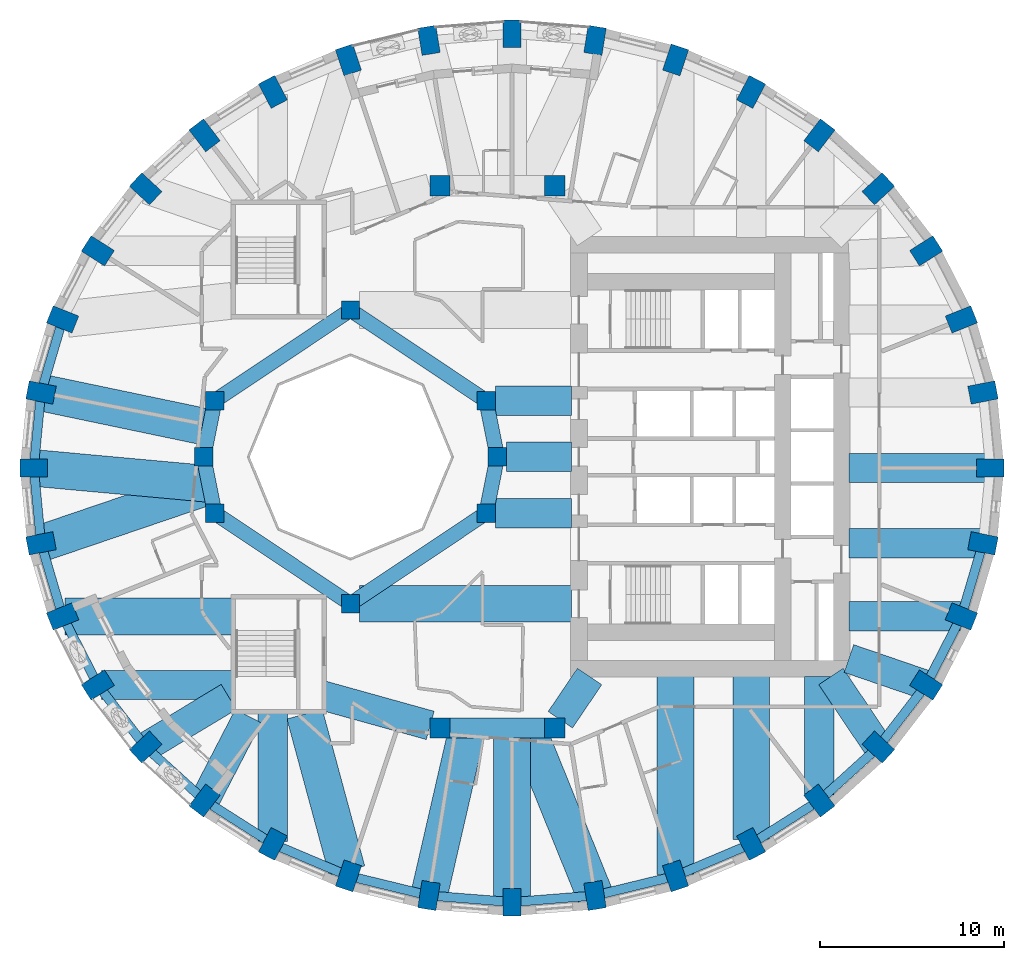
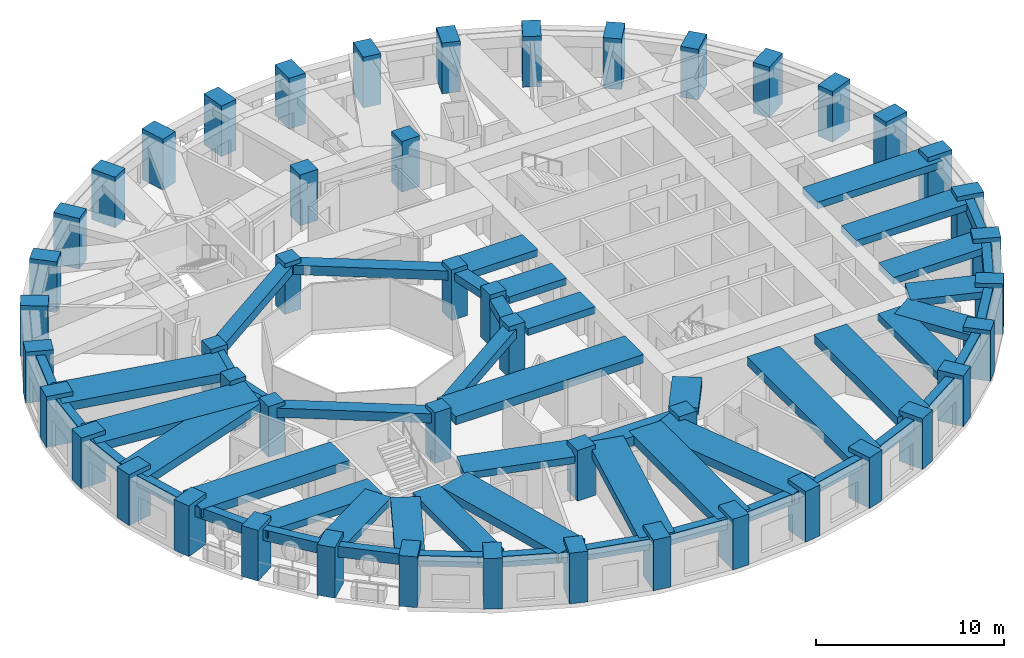
# One storey, part 1 of 12: 54 beams, 48 columns.
"""IFC4 building model written with IfcOpenShell, lengths in metres."""

from ifc_helpers import new_model, si_unit, direction, frame, origin, origin_2d, place, context, subcontext, project, spatial, rectangle, extrude, material, material_profile, profile_set, type_object, element, save


model = new_model("IFC4")

# Units and contexts
model_context = context("Model", 3, precision=1e-05, world=origin(), true_north=direction((0.0, 1.0)))
body_context = subcontext(model_context, "Body", "Model", "MODEL_VIEW")
ifc_project = project(units=[si_unit("LENGTHUNIT", "METRE"), si_unit("AREAUNIT", "SQUARE_METRE"), si_unit("VOLUMEUNIT", "CUBIC_METRE"), si_unit("PLANEANGLEUNIT", "RADIAN"), si_unit("MASSUNIT", "GRAM", prefix="KILO")], contexts=[model_context])

# Site, building, storey
site_placement = place(None, origin())
site = spatial("IfcSite", under=ifc_project, at=site_placement, CompositionType="ELEMENT")
building_placement = place(site_placement, origin())
building = spatial("IfcBuilding", under=site, at=building_placement, Name="Taillehof Tower", CompositionType="ELEMENT")
storey_placement = place(building_placement, frame((0.0, 0.0, 128.5)))
storey = spatial("IfcBuildingStorey", under=building, at=storey_placement, Name="L36", CompositionType="ELEMENT", Elevation=128.5)

# Columns
ifc_material_1 = material(Name="Concrete C50/60", Category="concrete")
ifc_material_profile_1 = material_profile(ifc_material_1, rectangle(XDim=1.0, YDim=1.0, at=origin_2d()), Name="RC 1000x1000")
ifc_profile_set_1 = profile_set([ifc_material_profile_1], Name="Concrete C50/60")
column_type_1 = type_object("IfcColumnType", Name="Atrium ring column C50/60 1000x1000", PredefinedType="COLUMN", material=ifc_profile_set_1)
for number, where, z_axis, x_axis, name in (
    (1, (0.0, 0.0, 0.0), (0.0, 0.0, 1.0), (1.0, 0.0, 0.0), "Column AC01"),
    (2, (-0.60888671875, 3.0615234375, 0.0), (0.0, 0.0, 1.0), (1.0, 0.0, 0.0), "Column AC02"),
    (3, (-8.0, 8.0, 0.0), (0.0, 0.0, 1.0), (1.0, 0.0, 0.0), "Column AC05"),
    (4, (-15.39111328125, 3.0615234375, 0.0), (0.0, 0.0, 1.0), (1.0, 0.0, 0.0), "Column AC08"),
    (5, (-16.0, 0.0, 0.0), (0.0, 0.0, 1.0), (1.0, 0.0, 0.0), "Column AC09"),
    (6, (-15.39111328125, -3.0615234375, 0.0), (0.0, 0.0, 1.0), (1.0, 0.0, 0.0), "Column AC10"),
    (7, (-8.0, -8.0, 0.0), (0.0, 0.0, 1.0), (1.0, 0.0, 0.0), "Column AC13"),
    (8, (-0.60888671875, -3.0615234375, 0.0), (0.0, 0.0, 1.0), (1.0, 0.0, 0.0), "Column AC16"),
):
    element("IfcColumn", number, at=place(storey_placement, frame(where, z_axis=z_axis, x_axis=x_axis)), inside=storey, type_object=column_type_1, Name=name, PredefinedType="COLUMN", context=body_context, shape_type="SweptSolid", body=[
        extrude(rectangle(XDim=1.0, YDim=1.0, at=origin_2d()), origin(), (0.0, 0.0, 1.0), 3.300048828125),
    ])
ifc_material_2 = material(Name="Concrete C50/60", Category="concrete")
ifc_material_profile_2 = material_profile(ifc_material_2, rectangle(XDim=1.10009765625, YDim=1.10009765625, at=origin_2d()), Name="RC 1100x1100")
ifc_profile_set_2 = profile_set([ifc_material_profile_2], Name="Concrete C50/60")
column_type_2 = type_object("IfcColumnType", Name="Mid-ring column C50/60 1100x1100", PredefinedType="COLUMN", material=ifc_profile_set_2)
for number, where, z_axis, x_axis, name in (
    (9, (3.125732421875, 14.772216796875, 0.0), (0.0, 0.0, 1.0), (1.0, 0.0, 0.0), "Column MC05"),
    (10, (-3.125732421875, 14.772216796875, 0.0), (0.0, 0.0, 1.0), (1.0, 0.0, 0.0), "Column MC06"),
    (11, (-3.125732421875, -14.772216796875, 0.0), (0.0, 0.0, 1.0), (1.0, 0.0, 0.0), "Column MC14"),
    (12, (3.125732421875, -14.772216796875, 0.0), (0.0, 0.0, 1.0), (1.0, 0.0, 0.0), "Column MC15"),
):
    element("IfcColumn", number, at=place(storey_placement, frame(where, z_axis=z_axis, x_axis=x_axis)), inside=storey, type_object=column_type_2, Name=name, PredefinedType="COLUMN", context=body_context, shape_type="SweptSolid", body=[
        extrude(rectangle(XDim=1.10009765625, YDim=1.10009765625, at=origin_2d()), origin(), (0.0, 0.0, 1.0), 3.300048828125),
    ])
ifc_material_3 = material(Name="Concrete C70/85", Category="concrete")
ifc_material_profile_3 = material_profile(ifc_material_3, rectangle(XDim=1.5, YDim=1.0, at=origin_2d()), Name="RC 1500x1000")
ifc_profile_set_3 = profile_set([ifc_material_profile_3], Name="Concrete C70/85")
column_type_3 = type_object("IfcColumnType", Name="Ring column C70/85 1500x1000", PredefinedType="COLUMN", material=ifc_profile_set_3)
for number, where, z_axis, x_axis, name in (
    (13, (26.85009765625, -0.60009765625, 0.0), (0.0, 0.0, 1.0), (1.0, 0.0, 0.0), "Ring column RC01"),
    (14, (26.454345703125, 3.5068359375, 0.0), (0.0, 0.0, 1.0), (0.981757466121, 0.190137523166, 0.0), "Ring column RC02"),
    (15, (25.279052734375, 7.48876953125, 0.0), (0.0, 0.0, 1.0), (0.928550110352, 0.371207075048, 0.0), "Ring column RC03"),
    (16, (23.35986328125, 11.22509765625, 0.0), (0.0, 0.0, 1.0), (0.844511454562, 0.535537489923, 0.0), "Ring column RC04"),
    (17, (20.75537109375, 14.60205078125, 0.0), (0.0, 0.0, 1.0), (0.735332034083, 0.677707016085, 0.0), "Ring column RC05"),
    (18, (17.544677734375, 17.516845703125, 0.0), (0.0, 0.0, 1.0), (0.607074228939, 0.794645128694, 0.0), "Ring column RC06"),
    (19, (13.824951171875, 19.881591796875, 0.0), (0.0, 0.0, 1.0), (0.465283017627, 0.885161970211, 0.0), "Ring column RC07"),
    (20, (9.709716796875, 21.623779296875, 0.0), (0.0, 0.0, 1.0), (0.314554972703, 0.949239258116, 0.0), "Ring column RC08"),
    (21, (5.323486328125, 22.690673828125, 0.0), (0.0, 0.0, 1.0), (0.158507038215, 0.987357847407, 0.0), "Ring column RC09"),
    (22, (0.800048828125, 23.050048828125, 0.0), (0.0, 0.0, 1.0), (0.0, 1.0, 0.0), "Ring column RC10"),
    (23, (-3.7236328125, 22.690673828125, 0.0), (0.0, 0.0, 1.0), (-0.158507038215, 0.987357847407, 0.0), "Ring column RC11"),
    (24, (-8.109619140625, 21.623779296875, 0.0), (0.0, 0.0, 1.0), (-0.314554972703, 0.949239258116, 0.0), "Ring column RC12"),
    (25, (-12.22509765625, 19.881591796875, 0.0), (0.0, 0.0, 1.0), (-0.465283017627, 0.885161970211, 0.0), "Ring column RC13"),
    (26, (-15.944580078125, 17.516845703125, 0.0), (0.0, 0.0, 1.0), (-0.607074228939, 0.794645128694, 0.0), "Ring column RC14"),
    (27, (-19.155517578125, 14.60205078125, 0.0), (0.0, 0.0, 1.0), (-0.735332034083, 0.677707016085, 0.0), "Ring column RC15"),
    (28, (-21.760009765625, 11.22509765625, 0.0), (0.0, 0.0, 1.0), (-0.844511454562, 0.535537489923, 0.0), "Ring column RC16"),
    (29, (-23.678955078125, 7.48876953125, 0.0), (0.0, 0.0, 1.0), (-0.928550110352, 0.371207075048, 0.0), "Ring column RC17"),
    (30, (-24.854248046875, 3.5068359375, 0.0), (0.0, 0.0, 1.0), (-0.981757466121, 0.190137523166, 0.0), "Ring column RC18"),
    (31, (-25.25, -0.60009765625, 0.0), (0.0, 0.0, 1.0), (-1.0, 0.0, 0.0), "Ring column RC19"),
    (32, (-24.854248046875, -4.706787109375, 0.0), (0.0, 0.0, 1.0), (-0.981757466121, -0.190137523166, 0.0), "Ring column RC20"),
    (33, (-23.678955078125, -8.688720703125, 0.0), (0.0, 0.0, 1.0), (-0.928550110352, -0.371207075048, 0.0), "Ring column RC21"),
    (34, (-21.760009765625, -12.425048828125, 0.0), (0.0, 0.0, 1.0), (-0.844511454562, -0.535537489923, 0.0), "Ring column RC22"),
    (35, (-19.155517578125, -15.802001953125, 0.0), (0.0, 0.0, 1.0), (-0.735332034083, -0.677707016085, 0.0), "Ring column RC23"),
    (36, (-15.944580078125, -18.717041015625, 0.0), (0.0, 0.0, 1.0), (-0.607074228939, -0.794645128694, 0.0), "Ring column RC24"),
    (37, (-12.22509765625, -21.08154296875, 0.0), (0.0, 0.0, 1.0), (-0.465283017627, -0.885161970211, 0.0), "Ring column RC25"),
    (38, (-8.109619140625, -22.82373046875, 0.0), (0.0, 0.0, 1.0), (-0.314554972703, -0.949239258116, 0.0), "Ring column RC26"),
    (39, (-3.7236328125, -23.890625, 0.0), (0.0, 0.0, 1.0), (-0.158507038215, -0.987357847407, 0.0), "Ring column RC27"),
    (40, (0.800048828125, -24.25, 0.0), (0.0, 0.0, 1.0), (0.0, -1.0, 0.0), "Ring column RC28"),
    (41, (5.323486328125, -23.890625, 0.0), (0.0, 0.0, 1.0), (0.158507038215, -0.987357847407, 0.0), "Ring column RC29"),
    (42, (9.709716796875, -22.82373046875, 0.0), (0.0, 0.0, 1.0), (0.314554972703, -0.949239258116, 0.0), "Ring column RC30"),
    (43, (13.824951171875, -21.08154296875, 0.0), (0.0, 0.0, 1.0), (0.465283017627, -0.885161970211, 0.0), "Ring column RC31"),
    (44, (17.544677734375, -18.717041015625, 0.0), (0.0, 0.0, 1.0), (0.607074228939, -0.794645128694, 0.0), "Ring column RC32"),
    (45, (20.75537109375, -15.802001953125, 0.0), (0.0, 0.0, 1.0), (0.735332034083, -0.677707016085, 0.0), "Ring column RC33"),
    (46, (23.35986328125, -12.425048828125, 0.0), (0.0, 0.0, 1.0), (0.844511454562, -0.535537489923, 0.0), "Ring column RC34"),
    (47, (25.279052734375, -8.688720703125, 0.0), (0.0, 0.0, 1.0), (0.928550110352, -0.371207075048, 0.0), "Ring column RC35"),
    (48, (26.454345703125, -4.706787109375, 0.0), (0.0, 0.0, 1.0), (0.981757466121, -0.190137523166, 0.0), "Ring column RC36"),
):
    element("IfcColumn", number, at=place(storey_placement, frame(where, z_axis=z_axis, x_axis=x_axis)), inside=storey, type_object=column_type_3, Name=name, PredefinedType="COLUMN", context=body_context, shape_type="SweptSolid", body=[
        extrude(rectangle(XDim=1.5, YDim=1.0, at=origin_2d()), origin(), (0.0, 0.0, 1.0), 3.300048828125),
    ])

# Beams
ifc_material_4 = material(Name="Concrete C50/60", Category="concrete")
ifc_material_profile_4 = material_profile(ifc_material_4, rectangle(XDim=0.800048828125, YDim=0.5, at=origin_2d()), Name="RC 800x500")
ifc_profile_set_4 = profile_set([ifc_material_profile_4], Name="Concrete C50/60")
beam_type_1 = type_object("IfcBeamType", Name="Atrium ring beam C50/60 800x500", PredefinedType="BEAM", material=ifc_profile_set_4)
for number, where, z_axis, x_axis, name in (
    (49, (0.0, 0.0, 2.77001953125), (-0.195063155143, 0.980790683839, 0.0), (-0.980790683839, -0.195063155143, 0.0), "Atrium ring beam AB01"),
    (50, (-15.39111328125, 3.0615234375, 2.77001953125), (-0.195063155143, -0.980790683839, 0.0), (0.980790683839, -0.195063155143, 0.0), "Atrium ring beam AB04"),
    (51, (-16.0, 0.0, 2.77001953125), (0.195063155143, -0.980790683839, 0.0), (0.980790683839, 0.195063155143, 0.0), "Atrium ring beam AB05"),
    (52, (-0.60888671875, -3.0615234375, 2.77001953125), (0.195063155143, 0.980790683839, 0.0), (-0.980790683839, 0.195063155143, 0.0), "Atrium ring beam AB08"),
):
    element("IfcBeam", number, at=place(storey_placement, frame(where, z_axis=z_axis, x_axis=x_axis)), inside=storey, type_object=beam_type_1, Name=name, PredefinedType="BEAM", context=body_context, shape_type="SweptSolid", body=[
        extrude(rectangle(XDim=0.800048828125, YDim=0.5, at=origin_2d()), origin(), (0.0, 0.0, 1.0), 3.12158203125),
    ])
ifc_material_5 = material(Name="Concrete C50/60", Category="concrete")
ifc_material_profile_5 = material_profile(ifc_material_5, rectangle(XDim=0.800048828125, YDim=0.60009765625, at=origin_2d()), Name="RC 800x600")
ifc_profile_set_5 = profile_set([ifc_material_profile_5], Name="Concrete C50/60")
beam_type_2 = type_object("IfcBeamType", Name="Atrium ring beam C50/60 800x600", PredefinedType="BEAM", material=ifc_profile_set_5)
for number, where, z_axis, x_axis, name in (
    (53, (-0.60888671875, 3.0615234375, 2.719970703125), (-0.831475195687, 0.555561876804, 0.0), (-0.555561876804, -0.831475195687, 0.0), "Atrium ring beam AB02"),
    (54, (-8.0, 8.0, 2.719970703125), (-0.831475195687, -0.555561876804, 0.0), (0.555561876804, -0.831475195687, 0.0), "Atrium ring beam AB03"),
    (55, (-15.39111328125, -3.0615234375, 2.719970703125), (0.831475195687, -0.555561876804, 0.0), (0.555561876804, 0.831475195687, 0.0), "Atrium ring beam AB06"),
    (56, (-8.0, -8.0, 2.719970703125), (0.831475195687, 0.555561876804, 0.0), (-0.555561876804, 0.831475195687, 0.0), "Atrium ring beam AB07"),
):
    element("IfcBeam", number, at=place(storey_placement, frame(where, z_axis=z_axis, x_axis=x_axis)), inside=storey, type_object=beam_type_2, Name=name, PredefinedType="BEAM", context=body_context, shape_type="SweptSolid", body=[
        extrude(rectangle(XDim=0.800048828125, YDim=0.60009765625, at=origin_2d()), origin(), (0.0, 0.0, 1.0), 8.88916015625),
    ])
ifc_material_6 = material(Name="Concrete C50/60", Category="concrete")
ifc_material_profile_6 = material_profile(ifc_material_6, rectangle(XDim=1.10009765625, YDim=0.60009765625, at=origin_2d()), Name="RC 1100x600")
ifc_profile_set_6 = profile_set([ifc_material_profile_6], Name="Concrete C50/60")
beam_type_3 = type_object("IfcBeamType", Name="Mid-ring beam C50/60 1100x600", PredefinedType="BEAM", material=ifc_profile_set_6)
beam_1_placement = place(storey_placement, frame((-3.125732421875, -14.772216796875, 2.719970703125), z_axis=(1.0, 0.0, 0.0), x_axis=(0.0, 1.0, 0.0)))
element("IfcBeam", 57, at=beam_1_placement, inside=storey, type_object=beam_type_3, Name="Mid-ring beam MB02", PredefinedType="BEAM", context=body_context, shape_type="SweptSolid", body=[
    extrude(rectangle(XDim=1.10009765625, YDim=0.60009765625, at=origin_2d()), origin(), (0.0, 0.0, 1.0), 6.25146484375),
])
ifc_material_7 = material(Name="Concrete C50/60", Category="concrete")
ifc_material_profile_7 = material_profile(ifc_material_7, rectangle(XDim=1.60009765625, YDim=0.449951171875, at=origin_2d()), Name="RC 1600x450")
ifc_profile_set_7 = profile_set([ifc_material_profile_7], Name="Concrete C50/60")
beam_type_4 = type_object("IfcBeamType", Name="Radial band beam C50/60 1600x450", PredefinedType="BEAM", material=ifc_profile_set_7)
beam_2_placement = place(storey_placement, frame((26.85009765625, -0.60009765625, 2.794921875), z_axis=(-1.0, 0.0, 0.0), x_axis=(0.0, -1.0, 0.0)))
element("IfcBeam", 58, at=beam_2_placement, inside=storey, type_object=beam_type_4, Name="Radial band beam RB01", PredefinedType="BEAM", context=body_context, shape_type="SweptSolid", body=[
    extrude(rectangle(XDim=1.60009765625, YDim=0.449951171875, at=origin_2d()), origin(), (0.0, 0.0, 1.0), 7.7001953125),
])
beam_3_placement = place(storey_placement, frame((-21.54736328125, -12.425048828125, 2.794921875), z_axis=(1.0, 0.0, 0.0), x_axis=(0.0, 1.0, 0.0)))
element("IfcBeam", 59, at=beam_3_placement, inside=storey, type_object=beam_type_4, Name="Radial band beam RB22", PredefinedType="BEAM", context=body_context, shape_type="SweptSolid", body=[
    extrude(rectangle(XDim=1.60009765625, YDim=0.449951171875, at=origin_2d()), origin(), (0.0, 0.0, 1.0), 7.097412109375),
])
beam_4_placement = place(storey_placement, frame((-19.155517578125, -15.802001953125, 2.794921875), z_axis=(0.856794973818, 0.515657224171, 0.0), x_axis=(-0.515657224171, 0.856794973818, 0.0)))
element("IfcBeam", 60, at=beam_4_placement, inside=storey, type_object=beam_type_4, Name="Radial band beam RB23", PredefinedType="BEAM", context=body_context, shape_type="SweptSolid", body=[
    extrude(rectangle(XDim=1.60009765625, YDim=0.449951171875, at=origin_2d()), origin(), (0.0, 0.0, 1.0), 5.28369140625),
])
beam_5_placement = place(storey_placement, frame((-15.944580078125, -18.717041015625, 2.794921875), z_axis=(0.460119038647, 0.8878572353, 0.0), x_axis=(-0.8878572353, 0.460119038647, 0.0)))
element("IfcBeam", 61, at=beam_5_placement, inside=storey, type_object=beam_type_4, Name="Radial band beam RB24", PredefinedType="BEAM", context=body_context, shape_type="SweptSolid", body=[
    extrude(rectangle(XDim=1.60009765625, YDim=0.449951171875, at=origin_2d()), origin(), (0.0, 0.0, 1.0), 5.1796875),
])
beam_6_placement = place(storey_placement, frame((-12.22509765625, -20.9443359375, 2.794921875), z_axis=(0.0, 1.0, 0.0), x_axis=(-1.0, 0.0, 0.0)))
element("IfcBeam", 62, at=beam_6_placement, inside=storey, type_object=beam_type_4, Name="Radial band beam RB25", PredefinedType="BEAM", context=body_context, shape_type="SweptSolid", body=[
    extrude(rectangle(XDim=1.60009765625, YDim=0.449951171875, at=origin_2d()), origin(), (0.0, 0.0, 1.0), 6.994384765625),
])
beam_7_placement = place(storey_placement, frame((17.544677734375, -18.421875, 2.794921875), z_axis=(0.0, 1.0, 0.0), x_axis=(-1.0, 0.0, 0.0)))
element("IfcBeam", 63, at=beam_7_placement, inside=storey, type_object=beam_type_4, Name="Radial band beam RB32", PredefinedType="BEAM", context=body_context, shape_type="SweptSolid", body=[
    extrude(rectangle(XDim=1.60009765625, YDim=0.449951171875, at=origin_2d()), origin(), (0.0, 0.0, 1.0), 6.471923828125),
])
beam_8_placement = place(storey_placement, frame((20.75537109375, -15.802001953125, 2.794921875), z_axis=(-0.557822939952, 0.829959979555, 0.0), x_axis=(-0.829959979555, -0.557822939952, 0.0)))
element("IfcBeam", 64, at=beam_8_placement, inside=storey, type_object=beam_type_4, Name="Radial band beam RB33", PredefinedType="BEAM", context=body_context, shape_type="SweptSolid", body=[
    extrude(rectangle(XDim=1.60009765625, YDim=0.449951171875, at=origin_2d()), origin(), (0.0, 0.0, 1.0), 4.630859375),
])
beam_9_placement = place(storey_placement, frame((23.35986328125, -12.425048828125, 2.794921875), z_axis=(-0.946037817118, 0.324056242932, 0.0), x_axis=(-0.324056242932, -0.946037817118, 0.0)))
element("IfcBeam", 65, at=beam_9_placement, inside=storey, type_object=beam_type_4, Name="Radial band beam RB34", PredefinedType="BEAM", context=body_context, shape_type="SweptSolid", body=[
    extrude(rectangle(XDim=1.60009765625, YDim=0.449951171875, at=origin_2d()), origin(), (0.0, 0.0, 1.0), 4.447265625),
])
beam_10_placement = place(storey_placement, frame((25.2275390625, -8.688720703125, 2.794921875), z_axis=(-1.0, 0.0, 0.0), x_axis=(0.0, -1.0, 0.0)))
element("IfcBeam", 66, at=beam_10_placement, inside=storey, type_object=beam_type_4, Name="Radial band beam RB35", PredefinedType="BEAM", context=body_context, shape_type="SweptSolid", body=[
    extrude(rectangle(XDim=1.60009765625, YDim=0.449951171875, at=origin_2d()), origin(), (0.0, 0.0, 1.0), 6.07763671875),
])
beam_11_placement = place(storey_placement, frame((26.454345703125, -4.706787109375, 2.794921875), z_axis=(-1.0, 0.0, 0.0), x_axis=(0.0, -1.0, 0.0)))
element("IfcBeam", 67, at=beam_11_placement, inside=storey, type_object=beam_type_4, Name="Radial band beam RB36", PredefinedType="BEAM", context=body_context, shape_type="SweptSolid", body=[
    extrude(rectangle(XDim=1.60009765625, YDim=0.449951171875, at=origin_2d()), origin(), (0.0, 0.0, 1.0), 7.304443359375),
])
beam_12_placement = place(storey_placement, frame((0.5, 0.0, 2.794921875), z_axis=(1.0, 0.0, 0.0), x_axis=(0.0, 1.0, 0.0)))
element("IfcBeam", 68, at=beam_12_placement, inside=storey, type_object=beam_type_4, Name="Inner band beam IB101", PredefinedType="BEAM", context=body_context, shape_type="SweptSolid", body=[
    extrude(rectangle(XDim=1.60009765625, YDim=0.449951171875, at=origin_2d()), origin(), (0.0, 0.0, 1.0), 3.550048828125),
])
for number, where, z_axis, x_axis, name in (
    (69, (-0.10888671875, 3.0615234375, 2.794921875), (1.0, 0.0, 0.0), (0.0, 1.0, 0.0), "Inner band beam IB102"),
    (70, (-0.10888671875, -3.0615234375, 2.794921875), (1.0, 0.0, 0.0), (0.0, 1.0, 0.0), "Inner band beam IB116"),
):
    element("IfcBeam", number, at=place(storey_placement, frame(where, z_axis=z_axis, x_axis=x_axis)), inside=storey, type_object=beam_type_4, Name=name, PredefinedType="BEAM", context=body_context, shape_type="SweptSolid", body=[
        extrude(rectangle(XDim=1.60009765625, YDim=0.449951171875, at=origin_2d()), origin(), (0.0, 0.0, 1.0), 4.158935546875),
    ])
beam_13_placement = place(storey_placement, frame((-3.655517578125, -14.624755859375, 2.794921875), z_axis=(-0.963459369536, 0.267854518821, 0.0), x_axis=(-0.267854518821, -0.963459369536, 0.0)))
element("IfcBeam", 71, at=beam_13_placement, inside=storey, type_object=beam_type_4, Name="Inner band beam IB214", PredefinedType="BEAM", context=body_context, shape_type="SweptSolid", body=[
    extrude(rectangle(XDim=1.60009765625, YDim=0.449951171875, at=origin_2d()), origin(), (0.0, 0.0, 1.0), 6.096923828125),
])
beam_14_placement = place(storey_placement, frame((3.433837890625, -14.31640625, 2.794921875), z_axis=(0.560112043398, 0.828416862962, 0.0), x_axis=(-0.828416862962, 0.560112043398, 0.0)))
element("IfcBeam", 72, at=beam_14_placement, inside=storey, type_object=beam_type_4, Name="Inner band beam IB215", PredefinedType="BEAM", context=body_context, shape_type="SweptSolid", body=[
    extrude(rectangle(XDim=1.60009765625, YDim=0.449951171875, at=origin_2d()), origin(), (0.0, 0.0, 1.0), 2.84619140625),
])
ifc_material_8 = material(Name="Concrete C50/60", Category="concrete")
ifc_material_profile_8 = material_profile(ifc_material_8, rectangle(XDim=2.0, YDim=0.550048828125, at=origin_2d()), Name="RC 2000x550")
ifc_profile_set_8 = profile_set([ifc_material_profile_8], Name="Concrete C50/60")
beam_type_5 = type_object("IfcBeamType", Name="Radial band beam C50/60 2000x550", PredefinedType="BEAM", material=ifc_profile_set_8)
beam_15_placement = place(storey_placement, frame((-24.854248046875, 3.5068359375, 2.7451171875), z_axis=(0.978853404319, -0.204562980164, 0.0), x_axis=(0.204562980164, 0.978853404319, 0.0)))
element("IfcBeam", 73, at=beam_15_placement, inside=storey, type_object=beam_type_5, Name="Radial band beam RB18", PredefinedType="BEAM", context=body_context, shape_type="SweptSolid", body=[
    extrude(rectangle(XDim=2.0, YDim=0.550048828125, at=origin_2d()), origin(), (0.0, 0.0, 1.0), 9.36865234375),
])
beam_16_placement = place(storey_placement, frame((-25.25, -0.60009765625, 2.7451171875), z_axis=(0.995859515154, -0.090905588816, 0.0), x_axis=(0.090905588816, 0.995859515154, 0.0)))
element("IfcBeam", 74, at=beam_16_placement, inside=storey, type_object=beam_type_5, Name="Radial band beam RB19", PredefinedType="BEAM", context=body_context, shape_type="SweptSolid", body=[
    extrude(rectangle(XDim=2.0, YDim=0.550048828125, at=origin_2d()), origin(), (0.0, 0.0, 1.0), 9.58251953125),
])
beam_17_placement = place(storey_placement, frame((-24.854248046875, -4.706787109375, 2.7451171875), z_axis=(0.946822052625, 0.321757673822, 0.0), x_axis=(-0.321757673822, 0.946822052625, 0.0)))
element("IfcBeam", 75, at=beam_17_placement, inside=storey, type_object=beam_type_5, Name="Radial band beam RB20", PredefinedType="BEAM", context=body_context, shape_type="SweptSolid", body=[
    extrude(rectangle(XDim=2.0, YDim=0.550048828125, at=origin_2d()), origin(), (0.0, 0.0, 1.0), 9.685791015625),
])
beam_18_placement = place(storey_placement, frame((-23.54736328125, -8.688720703125, 2.7451171875), z_axis=(1.0, 0.0, 0.0), x_axis=(0.0, 1.0, 0.0)))
element("IfcBeam", 76, at=beam_18_placement, inside=storey, type_object=beam_type_5, Name="Radial band beam RB21", PredefinedType="BEAM", context=body_context, shape_type="SweptSolid", body=[
    extrude(rectangle(XDim=2.0, YDim=0.550048828125, at=origin_2d()), origin(), (0.0, 0.0, 1.0), 9.097412109375),
])
beam_19_placement = place(storey_placement, frame((-8.186767578125, -22.539306640625, 2.7451171875), z_axis=(-0.261461600872, 0.965213878511, 0.0), x_axis=(-0.965213878511, -0.261461600872, 0.0)))
element("IfcBeam", 77, at=beam_19_placement, inside=storey, type_object=beam_type_5, Name="Radial band beam RB26", PredefinedType="BEAM", context=body_context, shape_type="SweptSolid", body=[
    extrude(rectangle(XDim=2.0, YDim=0.550048828125, at=origin_2d()), origin(), (0.0, 0.0, 1.0), 8.835205078125),
])
beam_20_placement = place(storey_placement, frame((-3.7236328125, -23.890625, 2.7451171875), z_axis=(0.224215346781, 0.974539623755, 0.0), x_axis=(-0.974539623755, 0.224215346781, 0.0)))
element("IfcBeam", 78, at=beam_20_placement, inside=storey, type_object=beam_type_5, Name="Radial band beam RB27", PredefinedType="BEAM", context=body_context, shape_type="SweptSolid", body=[
    extrude(rectangle(XDim=2.0, YDim=0.550048828125, at=origin_2d()), origin(), (0.0, 0.0, 1.0), 9.356689453125),
])
beam_21_placement = place(storey_placement, frame((0.800048828125, -24.25, 2.7451171875), z_axis=(0.0, 1.0, 0.0), x_axis=(-1.0, 0.0, 0.0)))
element("IfcBeam", 79, at=beam_21_placement, inside=storey, type_object=beam_type_5, Name="Radial band beam RB28", PredefinedType="BEAM", context=body_context, shape_type="SweptSolid", body=[
    extrude(rectangle(XDim=2.0, YDim=0.550048828125, at=origin_2d()), origin(), (0.0, 0.0, 1.0), 9.477783203125),
])
beam_22_placement = place(storey_placement, frame((5.323486328125, -23.890625, 2.7451171875), z_axis=(-0.375801287916, 0.926700270854, 0.0), x_axis=(-0.926700270854, -0.375801287916, 0.0)))
element("IfcBeam", 80, at=beam_22_placement, inside=storey, type_object=beam_type_5, Name="Radial band beam RB29", PredefinedType="BEAM", context=body_context, shape_type="SweptSolid", body=[
    extrude(rectangle(XDim=2.0, YDim=0.550048828125, at=origin_2d()), origin(), (0.0, 0.0, 1.0), 9.839599609375),
])
beam_23_placement = place(storey_placement, frame((9.709716796875, -22.756591796875, 2.7451171875), z_axis=(0.0, 1.0, 0.0), x_axis=(-1.0, 0.0, 0.0)))
element("IfcBeam", 81, at=beam_23_placement, inside=storey, type_object=beam_type_5, Name="Radial band beam RB30", PredefinedType="BEAM", context=body_context, shape_type="SweptSolid", body=[
    extrude(rectangle(XDim=2.0, YDim=0.550048828125, at=origin_2d()), origin(), (0.0, 0.0, 1.0), 10.806640625),
])
beam_24_placement = place(storey_placement, frame((13.824951171875, -20.839599609375, 2.7451171875), z_axis=(0.0, 1.0, 0.0), x_axis=(-1.0, 0.0, 0.0)))
element("IfcBeam", 82, at=beam_24_placement, inside=storey, type_object=beam_type_5, Name="Radial band beam RB31", PredefinedType="BEAM", context=body_context, shape_type="SweptSolid", body=[
    extrude(rectangle(XDim=2.0, YDim=0.550048828125, at=origin_2d()), origin(), (0.0, 0.0, 1.0), 8.8896484375),
])
beam_25_placement = place(storey_placement, frame((-7.5, -8.0, 2.7451171875), z_axis=(1.0, 0.0, 0.0), x_axis=(0.0, 1.0, 0.0)))
element("IfcBeam", 83, at=beam_25_placement, inside=storey, type_object=beam_type_5, Name="Inner band beam IB113", PredefinedType="BEAM", context=body_context, shape_type="SweptSolid", body=[
    extrude(rectangle(XDim=2.0, YDim=0.550048828125, at=origin_2d()), origin(), (0.0, 0.0, 1.0), 11.550048828125),
])
ifc_material_9 = material(Name="Concrete C50/60", Category="concrete")
ifc_material_profile_9 = material_profile(ifc_material_9, rectangle(XDim=0.5, YDim=0.699951171875, at=origin_2d()), Name="RC 500x700")
ifc_profile_set_9 = profile_set([ifc_material_profile_9], Name="Concrete C50/60")
beam_type_6 = type_object("IfcBeamType", Name="Spandrel beam C50/60 500x700", PredefinedType="SPANDREL", material=ifc_profile_set_9)
beam_26_placement = place(storey_placement, frame((-23.678955078125, 7.48876953125, 2.669921875), z_axis=(-0.28308309012, -0.95909538842, 0.0), x_axis=(0.95909538842, -0.28308309012, 0.0)))
element("IfcBeam", 84, at=beam_26_placement, inside=storey, type_object=beam_type_6, Name="Spandrel beam SB17", PredefinedType="SPANDREL", context=body_context, shape_type="SweptSolid", body=[
    extrude(rectangle(XDim=0.5, YDim=0.699951171875, at=origin_2d()), origin(), (0.0, 0.0, 1.0), 4.15185546875),
])
beam_27_placement = place(storey_placement, frame((-24.854248046875, 3.5068359375, 2.669921875), z_axis=(-0.095917608943, -0.995389276763, 0.0), x_axis=(0.995389276763, -0.095917608943, 0.0)))
element("IfcBeam", 85, at=beam_27_placement, inside=storey, type_object=beam_type_6, Name="Spandrel beam SB18", PredefinedType="SPANDREL", context=body_context, shape_type="SweptSolid", body=[
    extrude(rectangle(XDim=0.5, YDim=0.699951171875, at=origin_2d()), origin(), (0.0, 0.0, 1.0), 4.1259765625),
])
beam_28_placement = place(storey_placement, frame((-25.25, -0.60009765625, 2.669921875), z_axis=(0.09592325873, -0.995388732323, 0.0), x_axis=(0.995388732323, 0.09592325873, 0.0)))
element("IfcBeam", 86, at=beam_28_placement, inside=storey, type_object=beam_type_6, Name="Spandrel beam SB19", PredefinedType="SPANDREL", context=body_context, shape_type="SweptSolid", body=[
    extrude(rectangle(XDim=0.5, YDim=0.699951171875, at=origin_2d()), origin(), (0.0, 0.0, 1.0), 4.125732421875),
])
beam_29_placement = place(storey_placement, frame((-24.854248046875, -4.706787109375, 2.669921875), z_axis=(0.28308309012, -0.95909538842, 0.0), x_axis=(0.95909538842, 0.28308309012, 0.0)))
element("IfcBeam", 87, at=beam_29_placement, inside=storey, type_object=beam_type_6, Name="Spandrel beam SB20", PredefinedType="SPANDREL", context=body_context, shape_type="SweptSolid", body=[
    extrude(rectangle(XDim=0.5, YDim=0.699951171875, at=origin_2d()), origin(), (0.0, 0.0, 1.0), 4.15185546875),
])
beam_30_placement = place(storey_placement, frame((-23.678955078125, -8.688720703125, 2.669921875), z_axis=(0.456859381733, -0.889538928503, 0.0), x_axis=(0.889538928503, 0.456859381733, 0.0)))
element("IfcBeam", 88, at=beam_30_placement, inside=storey, type_object=beam_type_6, Name="Spandrel beam SB21", PredefinedType="SPANDREL", context=body_context, shape_type="SweptSolid", body=[
    extrude(rectangle(XDim=0.5, YDim=0.699951171875, at=origin_2d()), origin(), (0.0, 0.0, 1.0), 4.2001953125),
])
beam_31_placement = place(storey_placement, frame((-21.760009765625, -12.425048828125, 2.669921875), z_axis=(0.61071731561, -0.79184869793, 0.0), x_axis=(0.79184869793, 0.61071731561, 0.0)))
element("IfcBeam", 89, at=beam_31_placement, inside=storey, type_object=beam_type_6, Name="Spandrel beam SB22", PredefinedType="SPANDREL", context=body_context, shape_type="SweptSolid", body=[
    extrude(rectangle(XDim=0.5, YDim=0.699951171875, at=origin_2d()), origin(), (0.0, 0.0, 1.0), 4.2646484375),
])
beam_32_placement = place(storey_placement, frame((-19.155517578125, -15.802001953125, 2.669921875), z_axis=(0.740398416885, -0.672168270803, 0.0), x_axis=(0.672168270803, 0.740398416885, 0.0)))
element("IfcBeam", 90, at=beam_32_placement, inside=storey, type_object=beam_type_6, Name="Spandrel beam SB23", PredefinedType="SPANDREL", context=body_context, shape_type="SweptSolid", body=[
    extrude(rectangle(XDim=0.5, YDim=0.699951171875, at=origin_2d()), origin(), (0.0, 0.0, 1.0), 4.336669921875),
])
beam_33_placement = place(storey_placement, frame((-15.944580078125, -18.717041015625, 2.669921875), z_axis=(0.843912293293, -0.536481165773, 0.0), x_axis=(0.536481165773, 0.843912293293, 0.0)))
element("IfcBeam", 91, at=beam_33_placement, inside=storey, type_object=beam_type_6, Name="Spandrel beam SB24", PredefinedType="SPANDREL", context=body_context, shape_type="SweptSolid", body=[
    extrude(rectangle(XDim=0.5, YDim=0.699951171875, at=origin_2d()), origin(), (0.0, 0.0, 1.0), 4.407470703125),
])
beam_34_placement = place(storey_placement, frame((-12.22509765625, -21.08154296875, 2.669921875), z_axis=(0.920885046825, -0.389834234688, 0.0), x_axis=(0.389834234688, 0.920885046825, 0.0)))
element("IfcBeam", 92, at=beam_34_placement, inside=storey, type_object=beam_type_6, Name="Spandrel beam SB25", PredefinedType="SPANDREL", context=body_context, shape_type="SweptSolid", body=[
    extrude(rectangle(XDim=0.5, YDim=0.699951171875, at=origin_2d()), origin(), (0.0, 0.0, 1.0), 4.468994140625),
])
beam_35_placement = place(storey_placement, frame((-8.109619140625, -22.82373046875, 2.669921875), z_axis=(0.971665924588, -0.236358479847, 0.0), x_axis=(0.236358479847, 0.971665924588, 0.0)))
element("IfcBeam", 93, at=beam_35_placement, inside=storey, type_object=beam_type_6, Name="Spandrel beam SB26", PredefinedType="SPANDREL", context=body_context, shape_type="SweptSolid", body=[
    extrude(rectangle(XDim=0.5, YDim=0.699951171875, at=origin_2d()), origin(), (0.0, 0.0, 1.0), 4.513916015625),
])
beam_36_placement = place(storey_placement, frame((-3.7236328125, -23.890625, 2.669921875), z_axis=(0.996859260648, -0.079193525375, 0.0), x_axis=(0.079193525375, 0.996859260648, 0.0)))
element("IfcBeam", 94, at=beam_36_placement, inside=storey, type_object=beam_type_6, Name="Spandrel beam SB27", PredefinedType="SPANDREL", context=body_context, shape_type="SweptSolid", body=[
    extrude(rectangle(XDim=0.5, YDim=0.699951171875, at=origin_2d()), origin(), (0.0, 0.0, 1.0), 4.537841796875),
])
beam_37_placement = place(storey_placement, frame((0.800048828125, -24.25, 2.669921875), z_axis=(0.996858923208, 0.079197772828, 0.0), x_axis=(-0.079197772828, 0.996858923208, 0.0)))
element("IfcBeam", 95, at=beam_37_placement, inside=storey, type_object=beam_type_6, Name="Spandrel beam SB28", PredefinedType="SPANDREL", context=body_context, shape_type="SweptSolid", body=[
    extrude(rectangle(XDim=0.5, YDim=0.699951171875, at=origin_2d()), origin(), (0.0, 0.0, 1.0), 4.53759765625),
])
beam_38_placement = place(storey_placement, frame((5.323486328125, -23.890625, 2.669921875), z_axis=(0.971668945916, 0.23634605887, 0.0), x_axis=(-0.23634605887, 0.971668945916, 0.0)))
element("IfcBeam", 96, at=beam_38_placement, inside=storey, type_object=beam_type_6, Name="Spandrel beam SB29", PredefinedType="SPANDREL", context=body_context, shape_type="SweptSolid", body=[
    extrude(rectangle(XDim=0.5, YDim=0.699951171875, at=origin_2d()), origin(), (0.0, 0.0, 1.0), 4.51416015625),
])
beam_39_placement = place(storey_placement, frame((9.709716796875, -22.82373046875, 2.669921875), z_axis=(0.920876744153, 0.389853847074, 0.0), x_axis=(-0.389853847074, 0.920876744153, 0.0)))
element("IfcBeam", 97, at=beam_39_placement, inside=storey, type_object=beam_type_6, Name="Spandrel beam SB30", PredefinedType="SPANDREL", context=body_context, shape_type="SweptSolid", body=[
    extrude(rectangle(XDim=0.5, YDim=0.699951171875, at=origin_2d()), origin(), (0.0, 0.0, 1.0), 4.46875),
])
beam_40_placement = place(storey_placement, frame((13.824951171875, -21.08154296875, 2.669921875), z_axis=(0.843928234947, 0.536456087914, 0.0), x_axis=(-0.536456087914, 0.843928234947, 0.0)))
element("IfcBeam", 98, at=beam_40_placement, inside=storey, type_object=beam_type_6, Name="Spandrel beam SB31", PredefinedType="SPANDREL", context=body_context, shape_type="SweptSolid", body=[
    extrude(rectangle(XDim=0.5, YDim=0.699951171875, at=origin_2d()), origin(), (0.0, 0.0, 1.0), 4.40771484375),
])
beam_41_placement = place(storey_placement, frame((17.544677734375, -18.717041015625, 2.669921875), z_axis=(0.740372980414, 0.672196288202, 0.0), x_axis=(-0.672196288202, 0.740372980414, 0.0)))
element("IfcBeam", 99, at=beam_41_placement, inside=storey, type_object=beam_type_6, Name="Spandrel beam SB32", PredefinedType="SPANDREL", context=body_context, shape_type="SweptSolid", body=[
    extrude(rectangle(XDim=0.5, YDim=0.699951171875, at=origin_2d()), origin(), (0.0, 0.0, 1.0), 4.336669921875),
])
beam_42_placement = place(storey_placement, frame((20.75537109375, -15.802001953125, 2.669921875), z_axis=(0.61071731561, 0.79184869793, 0.0), x_axis=(-0.79184869793, 0.61071731561, 0.0)))
element("IfcBeam", 100, at=beam_42_placement, inside=storey, type_object=beam_type_6, Name="Spandrel beam SB33", PredefinedType="SPANDREL", context=body_context, shape_type="SweptSolid", body=[
    extrude(rectangle(XDim=0.5, YDim=0.699951171875, at=origin_2d()), origin(), (0.0, 0.0, 1.0), 4.2646484375),
])
beam_43_placement = place(storey_placement, frame((23.35986328125, -12.425048828125, 2.669921875), z_axis=(0.456905372708, 0.88951530644, 0.0), x_axis=(-0.88951530644, 0.456905372708, 0.0)))
element("IfcBeam", 101, at=beam_43_placement, inside=storey, type_object=beam_type_6, Name="Spandrel beam SB34", PredefinedType="SPANDREL", context=body_context, shape_type="SweptSolid", body=[
    extrude(rectangle(XDim=0.5, YDim=0.699951171875, at=origin_2d()), origin(), (0.0, 0.0, 1.0), 4.200439453125),
])
beam_44_placement = place(storey_placement, frame((25.279052734375, -8.688720703125, 2.669921875), z_axis=(0.28308309012, 0.95909538842, 0.0), x_axis=(-0.95909538842, 0.28308309012, 0.0)))
element("IfcBeam", 102, at=beam_44_placement, inside=storey, type_object=beam_type_6, Name="Spandrel beam SB35", PredefinedType="SPANDREL", context=body_context, shape_type="SweptSolid", body=[
    extrude(rectangle(XDim=0.5, YDim=0.699951171875, at=origin_2d()), origin(), (0.0, 0.0, 1.0), 4.15185546875),
])

save(model, "model.ifc")
